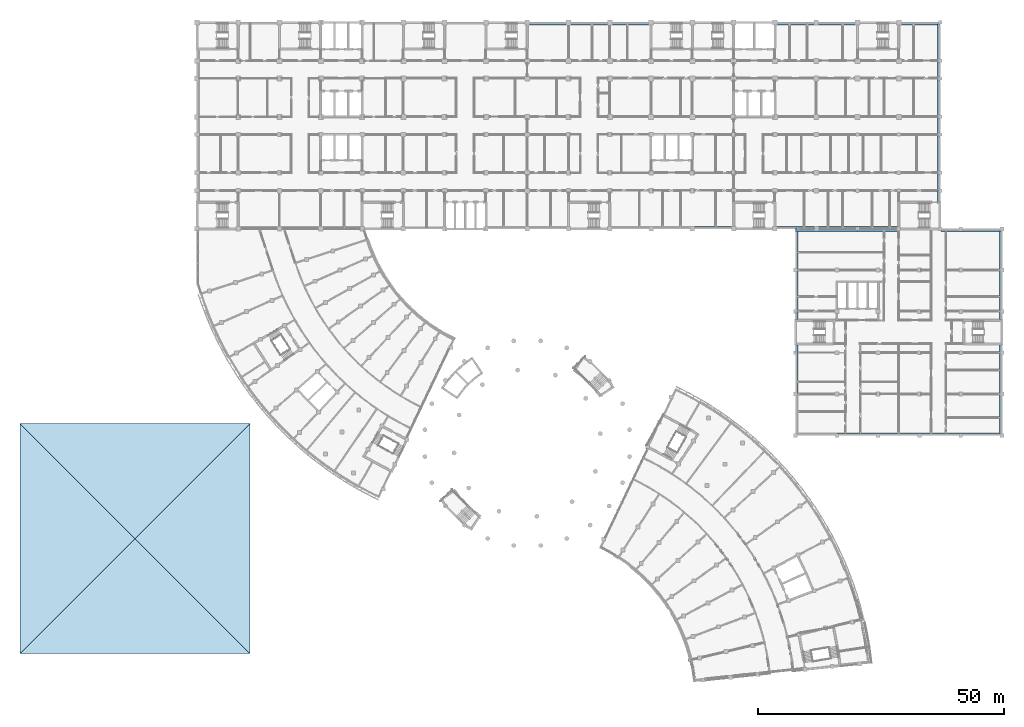
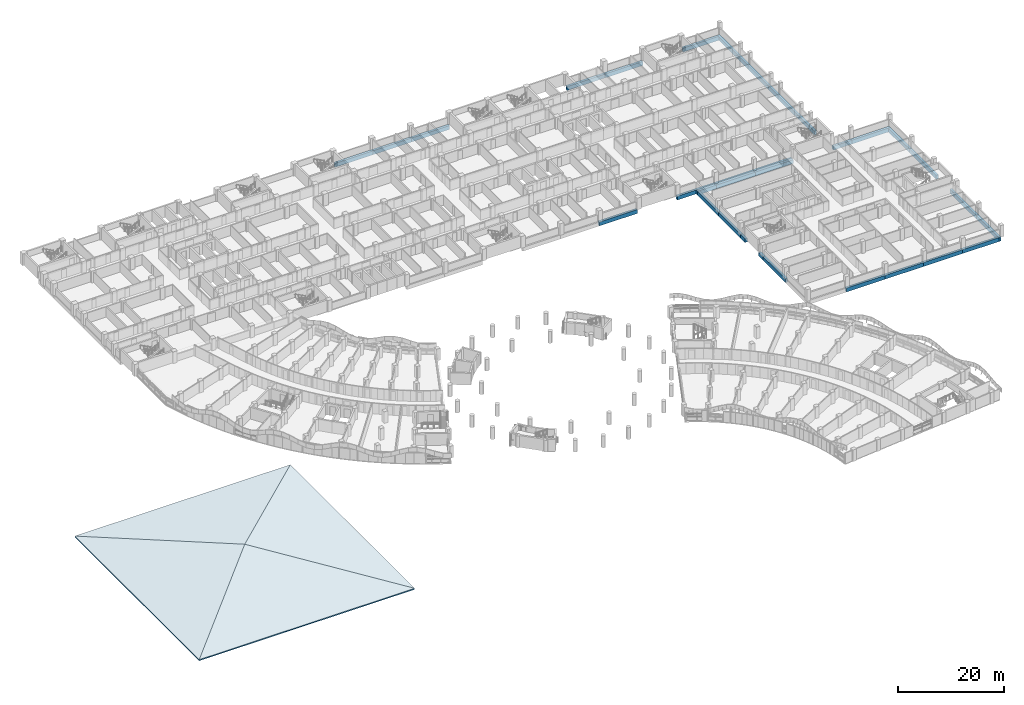
# One storey, part 24 of 89: 37 beams, 4 slabs.
"""IFC4 building model written with IfcOpenShell, lengths in metres."""

from ifc_helpers import new_model, si_unit, direction, frame, origin, origin_2d, place, context, subcontext, project, spatial, polyline, rectangle, outline, extrude, material, layer, layer_set, material_profile, profile_set, type_object, element, save


model = new_model("IFC4")

# Units and contexts
model_context = context("Model", 3, precision=1e-05, world=origin(), true_north=direction((0.0, 1.0)))
body_context = subcontext(model_context, "Body", "Model", "MODEL_VIEW")
ifc_project = project(units=[si_unit("LENGTHUNIT", "METRE"), si_unit("AREAUNIT", "SQUARE_METRE"), si_unit("VOLUMEUNIT", "CUBIC_METRE"), si_unit("PLANEANGLEUNIT", "RADIAN"), si_unit("MASSUNIT", "GRAM", prefix="KILO")], contexts=[model_context])

# Site, building, storey
site_placement = place(None, origin())
site = spatial("IfcSite", under=ifc_project, at=site_placement, CompositionType="ELEMENT")
building_placement = place(site_placement, origin())
building = spatial("IfcBuilding", under=site, at=building_placement, Name="Bougainvillea Quay General Hospital", CompositionType="ELEMENT")
storey_placement = place(building_placement, frame((0.0, 0.0, 9.89990234375)))
storey = spatial("IfcBuildingStorey", under=building, at=storey_placement, Name="L01M", CompositionType="ELEMENT", Elevation=9.89990234375)

# Beams
ifc_material = material(Name="Concrete C40", Category="concrete")
ifc_material_profile = material_profile(ifc_material, rectangle(XDim=0.5, YDim=0.89990234375, at=origin_2d()))
ifc_profile_set = profile_set([ifc_material_profile], Name="Concrete C40")
beam_type = type_object("IfcBeamType", Name="RC BEAM 500x900 C40", PredefinedType="BEAM", material=ifc_profile_set)
beam_1_placement = place(storey_placement, frame((164.050048828125, 117.60009765625, -0.699951171875), z_axis=(0.0, -1.0, 0.0), x_axis=(1.0, 0.0, 0.0)))
element("IfcBeam", 1, at=beam_1_placement, inside=storey, type_object=beam_type, Name="Edge beam L01M", PredefinedType="BEAM", context=body_context, shape_type="SweptSolid", body=[
    extrude(rectangle(XDim=0.5, YDim=0.89990234375, at=origin_2d()), origin(), (0.0, 0.0, 1.0), 8.400146484375),
])
beam_2_placement = place(storey_placement, frame((164.050048828125, 109.199951171875, -0.699951171875), z_axis=(0.0, -1.0, 0.0), x_axis=(1.0, 0.0, 0.0)))
element("IfcBeam", 2, at=beam_2_placement, inside=storey, type_object=beam_type, Name="Edge beam L01M", PredefinedType="BEAM", context=body_context, shape_type="SweptSolid", body=[
    extrude(rectangle(XDim=0.5, YDim=0.89990234375, at=origin_2d()), origin(), (0.0, 0.0, 1.0), 8.39990234375),
])
for number, where, z_axis, x_axis, name in (
    (3, (164.050048828125, 100.800048828125, -0.699951171875), (0.0, -1.0, 0.0), (1.0, 0.0, 0.0), "Edge beam L01M"),
    (4, (164.050048828125, 94.02490234375, -0.699951171875), (0.0, -1.0, 0.0), (1.0, 0.0, 0.0), "Edge beam L01M"),
):
    element("IfcBeam", number, at=place(storey_placement, frame(where, z_axis=z_axis, x_axis=x_axis)), inside=storey, type_object=beam_type, Name=name, PredefinedType="BEAM", context=body_context, shape_type="SweptSolid", body=[
        extrude(rectangle(XDim=0.5, YDim=0.89990234375, at=origin_2d()), origin(), (0.0, 0.0, 1.0), 1.625),
    ])
beam_3_placement = place(storey_placement, frame((164.050048828125, 92.39990234375, -0.699951171875), z_axis=(0.0, -1.0, 0.0), x_axis=(1.0, 0.0, 0.0)))
element("IfcBeam", 5, at=beam_3_placement, inside=storey, type_object=beam_type, Name="Edge beam L01M", PredefinedType="BEAM", context=body_context, shape_type="SweptSolid", body=[
    extrude(rectangle(XDim=0.5, YDim=0.89990234375, at=origin_2d()), origin(), (0.0, 0.0, 1.0), 8.39990234375),
])
beam_4_placement = place(storey_placement, frame((172.199951171875, 75.85009765625, -0.699951171875), z_axis=(1.0, 0.0, 0.0), x_axis=(0.0, 1.0, 0.0)))
element("IfcBeam", 6, at=beam_4_placement, inside=storey, type_object=beam_type, Name="Edge beam L01M", PredefinedType="BEAM", context=body_context, shape_type="SweptSolid", body=[
    extrude(rectangle(XDim=0.5, YDim=0.89990234375, at=origin_2d()), origin(), (0.0, 0.0, 1.0), 8.400146484375),
])
for number, where, z_axis, x_axis, name in (
    (7, (180.60009765625, 75.85009765625, -0.699951171875), (1.0, 0.0, 0.0), (0.0, 1.0, 0.0), "Edge beam L01M"),
    (8, (189.0, 75.85009765625, -0.699951171875), (1.0, 0.0, 0.0), (0.0, 1.0, 0.0), "Edge beam L01M"),
):
    element("IfcBeam", number, at=place(storey_placement, frame(where, z_axis=z_axis, x_axis=x_axis)), inside=storey, type_object=beam_type, Name=name, PredefinedType="BEAM", context=body_context, shape_type="SweptSolid", body=[
        extrude(rectangle(XDim=0.5, YDim=0.89990234375, at=origin_2d()), origin(), (0.0, 0.0, 1.0), 8.39990234375),
    ])
beam_5_placement = place(storey_placement, frame((197.39990234375, 75.85009765625, -0.699951171875), z_axis=(1.0, 0.0, 0.0), x_axis=(0.0, 1.0, 0.0)))
element("IfcBeam", 9, at=beam_5_placement, inside=storey, type_object=beam_type, Name="Edge beam L01M", PredefinedType="BEAM", context=body_context, shape_type="SweptSolid", body=[
    extrude(rectangle(XDim=0.5, YDim=0.89990234375, at=origin_2d()), origin(), (0.0, 0.0, 1.0), 8.400146484375),
])
for number, where, z_axis, x_axis, name in (
    (10, (205.550048828125, 75.60009765625, -0.699951171875), (0.0, 1.0, 0.0), (-1.0, 0.0, 0.0), "Edge beam L01M"),
    (11, (205.550048828125, 84.0, -0.699951171875), (0.0, 1.0, 0.0), (-1.0, 0.0, 0.0), "Edge beam L01M"),
):
    element("IfcBeam", number, at=place(storey_placement, frame(where, z_axis=z_axis, x_axis=x_axis)), inside=storey, type_object=beam_type, Name=name, PredefinedType="BEAM", context=body_context, shape_type="SweptSolid", body=[
        extrude(rectangle(XDim=0.5, YDim=0.89990234375, at=origin_2d()), origin(), (0.0, 0.0, 1.0), 8.39990234375),
    ])
for number, where, z_axis, x_axis, name in (
    (12, (205.550048828125, 92.39990234375, -0.699951171875), (0.0, 1.0, 0.0), (-1.0, 0.0, 0.0), "Edge beam L01M"),
    (13, (205.550048828125, 99.175048828125, -0.699951171875), (0.0, 1.0, 0.0), (-1.0, 0.0, 0.0), "Edge beam L01M"),
):
    element("IfcBeam", number, at=place(storey_placement, frame(where, z_axis=z_axis, x_axis=x_axis)), inside=storey, type_object=beam_type, Name=name, PredefinedType="BEAM", context=body_context, shape_type="SweptSolid", body=[
        extrude(rectangle(XDim=0.5, YDim=0.89990234375, at=origin_2d()), origin(), (0.0, 0.0, 1.0), 1.625),
    ])
beam_6_placement = place(storey_placement, frame((205.550048828125, 100.800048828125, -0.699951171875), z_axis=(0.0, 1.0, 0.0), x_axis=(-1.0, 0.0, 0.0)))
element("IfcBeam", 14, at=beam_6_placement, inside=storey, type_object=beam_type, Name="Edge beam L01M", PredefinedType="BEAM", context=body_context, shape_type="SweptSolid", body=[
    extrude(rectangle(XDim=0.5, YDim=0.89990234375, at=origin_2d()), origin(), (0.0, 0.0, 1.0), 8.39990234375),
])
for number, where, z_axis, x_axis, name in (
    (15, (205.550048828125, 109.199951171875, -0.699951171875), (0.0, 1.0, 0.0), (-1.0, 0.0, 0.0), "Edge beam L01M"),
    (16, (205.800048828125, 117.35009765625, -0.699951171875), (-1.0, 0.0, 0.0), (0.0, -1.0, 0.0), "Edge beam L01M"),
):
    element("IfcBeam", number, at=place(storey_placement, frame(where, z_axis=z_axis, x_axis=x_axis)), inside=storey, type_object=beam_type, Name=name, PredefinedType="BEAM", context=body_context, shape_type="SweptSolid", body=[
        extrude(rectangle(XDim=0.5, YDim=0.89990234375, at=origin_2d()), origin(), (0.0, 0.0, 1.0), 8.400146484375),
    ])
beam_7_placement = place(storey_placement, frame((197.39990234375, 117.35009765625, -0.699951171875), z_axis=(-1.0, 0.0, 0.0), x_axis=(0.0, -1.0, 0.0)))
element("IfcBeam", 17, at=beam_7_placement, inside=storey, type_object=beam_type, Name="Edge beam L01M", PredefinedType="BEAM", context=body_context, shape_type="SweptSolid", body=[
    extrude(rectangle(XDim=0.5, YDim=0.89990234375, at=origin_2d()), origin(), (0.0, 0.0, 1.0), 4.02490234375),
])
beam_8_placement = place(storey_placement, frame((184.625, 117.35009765625, -0.699951171875), z_axis=(-1.0, 0.0, 0.0), x_axis=(0.0, -1.0, 0.0)))
element("IfcBeam", 18, at=beam_8_placement, inside=storey, type_object=beam_type, Name="Edge beam L01M", PredefinedType="BEAM", context=body_context, shape_type="SweptSolid", body=[
    extrude(rectangle(XDim=0.5, YDim=0.89990234375, at=origin_2d()), origin(), (0.0, 0.0, 1.0), 8.22509765625),
])
beam_9_placement = place(storey_placement, frame((176.39990234375, 117.35009765625, -0.699951171875), z_axis=(-1.0, 0.0, 0.0), x_axis=(0.0, -1.0, 0.0)))
element("IfcBeam", 19, at=beam_9_placement, inside=storey, type_object=beam_type, Name="Edge beam L01M", PredefinedType="BEAM", context=body_context, shape_type="SweptSolid", body=[
    extrude(rectangle(XDim=0.5, YDim=0.89990234375, at=origin_2d()), origin(), (0.0, 0.0, 1.0), 8.39990234375),
])
beam_10_placement = place(storey_placement, frame((168.0, 117.35009765625, -0.699951171875), z_axis=(-1.0, 0.0, 0.0), x_axis=(0.0, -1.0, 0.0)))
element("IfcBeam", 20, at=beam_10_placement, inside=storey, type_object=beam_type, Name="Edge beam L01M", PredefinedType="BEAM", context=body_context, shape_type="SweptSolid", body=[
    extrude(rectangle(XDim=0.5, YDim=0.89990234375, at=origin_2d()), origin(), (0.0, 0.0, 1.0), 4.199951171875),
])
beam_11_placement = place(storey_placement, frame((142.800048828125, 117.85009765625, -0.699951171875), z_axis=(1.0, 0.0, 0.0), x_axis=(0.0, 1.0, 0.0)))
element("IfcBeam", 21, at=beam_11_placement, inside=storey, type_object=beam_type, Name="Edge beam L01M", PredefinedType="BEAM", context=body_context, shape_type="SweptSolid", body=[
    extrude(rectangle(XDim=0.5, YDim=0.89990234375, at=origin_2d()), origin(), (0.0, 0.0, 1.0), 8.224853515625),
])
beam_12_placement = place(storey_placement, frame((159.77490234375, 117.85009765625, -0.699951171875), z_axis=(1.0, 0.0, 0.0), x_axis=(0.0, 1.0, 0.0)))
element("IfcBeam", 22, at=beam_12_placement, inside=storey, type_object=beam_type, Name="Edge beam L01M", PredefinedType="BEAM", context=body_context, shape_type="SweptSolid", body=[
    extrude(rectangle(XDim=0.5, YDim=0.89990234375, at=origin_2d()), origin(), (0.0, 0.0, 1.0), 8.22509765625),
])
beam_13_placement = place(storey_placement, frame((168.0, 117.85009765625, -0.699951171875), z_axis=(1.0, 0.0, 0.0), x_axis=(0.0, 1.0, 0.0)))
element("IfcBeam", 23, at=beam_13_placement, inside=storey, type_object=beam_type, Name="Edge beam L01M", PredefinedType="BEAM", context=body_context, shape_type="SweptSolid", body=[
    extrude(rectangle(XDim=0.5, YDim=0.89990234375, at=origin_2d()), origin(), (0.0, 0.0, 1.0), 8.39990234375),
])
beam_14_placement = place(storey_placement, frame((176.39990234375, 117.85009765625, -0.699951171875), z_axis=(1.0, 0.0, 0.0), x_axis=(0.0, 1.0, 0.0)))
element("IfcBeam", 24, at=beam_14_placement, inside=storey, type_object=beam_type, Name="Edge beam L01M", PredefinedType="BEAM", context=body_context, shape_type="SweptSolid", body=[
    extrude(rectangle(XDim=0.5, YDim=0.89990234375, at=origin_2d()), origin(), (0.0, 0.0, 1.0), 8.22509765625),
])
beam_15_placement = place(storey_placement, frame((192.949951171875, 123.175048828125, -0.699951171875), z_axis=(0.0, 1.0, 0.0), x_axis=(-1.0, 0.0, 0.0)))
element("IfcBeam", 25, at=beam_15_placement, inside=storey, type_object=beam_type, Name="Edge beam L01M", PredefinedType="BEAM", context=body_context, shape_type="SweptSolid", body=[
    extrude(rectangle(XDim=0.5, YDim=0.89990234375, at=origin_2d()), origin(), (0.0, 0.0, 1.0), 2.224853515625),
])
beam_16_placement = place(storey_placement, frame((192.949951171875, 125.39990234375, -0.699951171875), z_axis=(0.0, 1.0, 0.0), x_axis=(-1.0, 0.0, 0.0)))
element("IfcBeam", 26, at=beam_16_placement, inside=storey, type_object=beam_type, Name="Edge beam L01M", PredefinedType="BEAM", context=body_context, shape_type="SweptSolid", body=[
    extrude(rectangle(XDim=0.5, YDim=0.89990234375, at=origin_2d()), origin(), (0.0, 0.0, 1.0), 3.60009765625),
])
beam_17_placement = place(storey_placement, frame((192.949951171875, 129.0, -0.699951171875), z_axis=(0.0, 1.0, 0.0), x_axis=(-1.0, 0.0, 0.0)))
element("IfcBeam", 27, at=beam_17_placement, inside=storey, type_object=beam_type, Name="Edge beam L01M", PredefinedType="BEAM", context=body_context, shape_type="SweptSolid", body=[
    extrude(rectangle(XDim=0.5, YDim=0.89990234375, at=origin_2d()), origin(), (0.0, 0.0, 1.0), 7.800048828125),
])
beam_18_placement = place(storey_placement, frame((192.949951171875, 136.800048828125, -0.699951171875), z_axis=(0.0, 1.0, 0.0), x_axis=(-1.0, 0.0, 0.0)))
element("IfcBeam", 28, at=beam_18_placement, inside=storey, type_object=beam_type, Name="Edge beam L01M", PredefinedType="BEAM", context=body_context, shape_type="SweptSolid", body=[
    extrude(rectangle(XDim=0.5, YDim=0.89990234375, at=origin_2d()), origin(), (0.0, 0.0, 1.0), 3.599853515625),
])
beam_19_placement = place(storey_placement, frame((192.949951171875, 140.39990234375, -0.699951171875), z_axis=(0.0, 1.0, 0.0), x_axis=(-1.0, 0.0, 0.0)))
element("IfcBeam", 29, at=beam_19_placement, inside=storey, type_object=beam_type, Name="Edge beam L01M", PredefinedType="BEAM", context=body_context, shape_type="SweptSolid", body=[
    extrude(rectangle(XDim=0.5, YDim=0.89990234375, at=origin_2d()), origin(), (0.0, 0.0, 1.0), 7.800048828125),
])
beam_20_placement = place(storey_placement, frame((192.949951171875, 148.199951171875, -0.699951171875), z_axis=(0.0, 1.0, 0.0), x_axis=(-1.0, 0.0, 0.0)))
element("IfcBeam", 30, at=beam_20_placement, inside=storey, type_object=beam_type, Name="Edge beam L01M", PredefinedType="BEAM", context=body_context, shape_type="SweptSolid", body=[
    extrude(rectangle(XDim=0.5, YDim=0.89990234375, at=origin_2d()), origin(), (0.0, 0.0, 1.0), 3.60009765625),
])
beam_21_placement = place(storey_placement, frame((192.949951171875, 151.800048828125, -0.699951171875), z_axis=(0.0, 1.0, 0.0), x_axis=(-1.0, 0.0, 0.0)))
element("IfcBeam", 31, at=beam_21_placement, inside=storey, type_object=beam_type, Name="Edge beam L01M", PredefinedType="BEAM", context=body_context, shape_type="SweptSolid", body=[
    extrude(rectangle(XDim=0.5, YDim=0.89990234375, at=origin_2d()), origin(), (0.0, 0.0, 1.0), 7.800048828125),
])
beam_22_placement = place(storey_placement, frame((193.199951171875, 159.35009765625, -0.699951171875), z_axis=(-1.0, 0.0, 0.0), x_axis=(0.0, -1.0, 0.0)))
element("IfcBeam", 32, at=beam_22_placement, inside=storey, type_object=beam_type, Name="Edge beam L01M", PredefinedType="BEAM", context=body_context, shape_type="SweptSolid", body=[
    extrude(rectangle(XDim=0.5, YDim=0.89990234375, at=origin_2d()), origin(), (0.0, 0.0, 1.0), 8.224853515625),
])
for number, where, z_axis, x_axis, name in (
    (33, (176.22509765625, 159.35009765625, -0.699951171875), (-1.0, 0.0, 0.0), (0.0, -1.0, 0.0), "Edge beam L01M"),
    (34, (168.0, 159.35009765625, -0.699951171875), (-1.0, 0.0, 0.0), (0.0, -1.0, 0.0), "Edge beam L01M"),
    (35, (134.22509765625, 159.35009765625, -0.699951171875), (-1.0, 0.0, 0.0), (0.0, -1.0, 0.0), "Edge beam L01M"),
):
    element("IfcBeam", number, at=place(storey_placement, frame(where, z_axis=z_axis, x_axis=x_axis)), inside=storey, type_object=beam_type, Name=name, PredefinedType="BEAM", context=body_context, shape_type="SweptSolid", body=[
        extrude(rectangle(XDim=0.5, YDim=0.89990234375, at=origin_2d()), origin(), (0.0, 0.0, 1.0), 8.22509765625),
    ])
beam_23_placement = place(storey_placement, frame((126.0, 159.35009765625, -0.699951171875), z_axis=(-1.0, 0.0, 0.0), x_axis=(0.0, -1.0, 0.0)))
element("IfcBeam", 36, at=beam_23_placement, inside=storey, type_object=beam_type, Name="Edge beam L01M", PredefinedType="BEAM", context=body_context, shape_type="SweptSolid", body=[
    extrude(rectangle(XDim=0.5, YDim=0.89990234375, at=origin_2d()), origin(), (0.0, 0.0, 1.0), 8.39990234375),
])
beam_24_placement = place(storey_placement, frame((117.60009765625, 159.35009765625, -0.699951171875), z_axis=(-1.0, 0.0, 0.0), x_axis=(0.0, -1.0, 0.0)))
element("IfcBeam", 37, at=beam_24_placement, inside=storey, type_object=beam_type, Name="Edge beam L01M", PredefinedType="BEAM", context=body_context, shape_type="SweptSolid", body=[
    extrude(rectangle(XDim=0.5, YDim=0.89990234375, at=origin_2d()), origin(), (0.0, 0.0, 1.0), 8.22509765625),
])

# Slabs
ifc_layer = layer(ifc_material, 0.25)
ifc_layer_set = layer_set([ifc_layer], Name="Concrete C40")
slab_type = type_object("IfcSlabType", Name="RC HIP ROOF PLATE 250 C40", PredefinedType="ROOF", material=ifc_layer_set)
slab_1_placement = place(storey_placement, frame((6.0, 31.199951171875, -0.463134765625), z_axis=(0.0, -0.173654035863, 0.984806720036), x_axis=(1.0, 0.0, 0.0)))
element("IfcSlab", 38, at=slab_1_placement, inside=storey, type_object=slab_type, Name="Roof plate RP3-01", PredefinedType="ROOF", context=body_context, shape_type="SweptSolid", body=[
    extrude(outline(polyline([(0.0, 0.0), (46.800048828125, 0.0), (23.39990234375, 23.761156385603478), (23.39990234375, 23.761156385603478), (0.0, 0.0)])), origin(), (0.0, -0.173654035863, -0.984806720036), 0.25),
])
slab_2_placement = place(storey_placement, frame((52.800048828125, 31.199951171875, -0.463134765625), z_axis=(0.173654035863, 0.0, 0.984806720036), x_axis=(0.0, 1.0, 0.0)))
element("IfcSlab", 39, at=slab_2_placement, inside=storey, type_object=slab_type, Name="Roof plate RP3-02", PredefinedType="ROOF", context=body_context, shape_type="SweptSolid", body=[
    extrude(outline(polyline([(0.0, 0.0), (46.800048828125, 0.0), (23.400146484375, 23.761156385603478), (0.0, 0.0)])), origin(), (0.0, -0.173654035863, -0.984806720036), 0.25),
])
slab_3_placement = place(storey_placement, frame((52.800048828125, 78.0, -0.463134765625), z_axis=(0.0, 0.173655793028, 0.984806410188), x_axis=(-1.0, 0.0, 0.0)))
element("IfcSlab", 40, at=slab_3_placement, inside=storey, type_object=slab_type, Name="Roof plate RP3-03", PredefinedType="ROOF", context=body_context, shape_type="SweptSolid", body=[
    extrude(outline(polyline([(0.0, 0.0), (46.800048828125, 0.0), (23.400146484375, 23.760915954313166), (23.400146484375, 23.760915954313166), (0.0, 0.0)])), origin(), (0.0, -0.173655793028, -0.984806410188), 0.25),
])
slab_4_placement = place(storey_placement, frame((6.0, 78.0, -0.463134765625), z_axis=(-0.173655793028, 0.0, 0.984806410188), x_axis=(0.0, -1.0, 0.0)))
element("IfcSlab", 41, at=slab_4_placement, inside=storey, type_object=slab_type, Name="Roof plate RP3-04", PredefinedType="ROOF", context=body_context, shape_type="SweptSolid", body=[
    extrude(outline(polyline([(0.0, 0.0), (46.800048828125, 0.0), (23.39990234375, 23.760915954313166), (0.0, 0.0)])), origin(), (0.0, -0.173655793028, -0.984806410188), 0.25),
])

save(model, "model.ifc")
